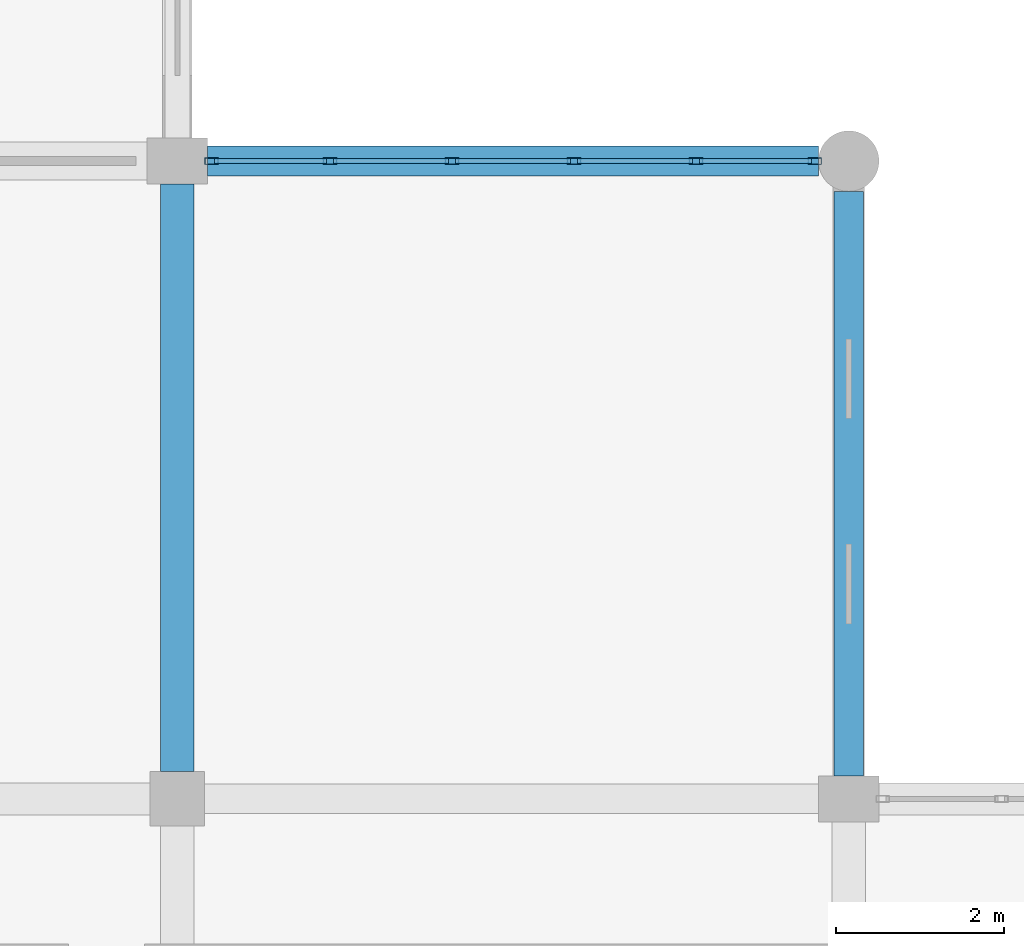
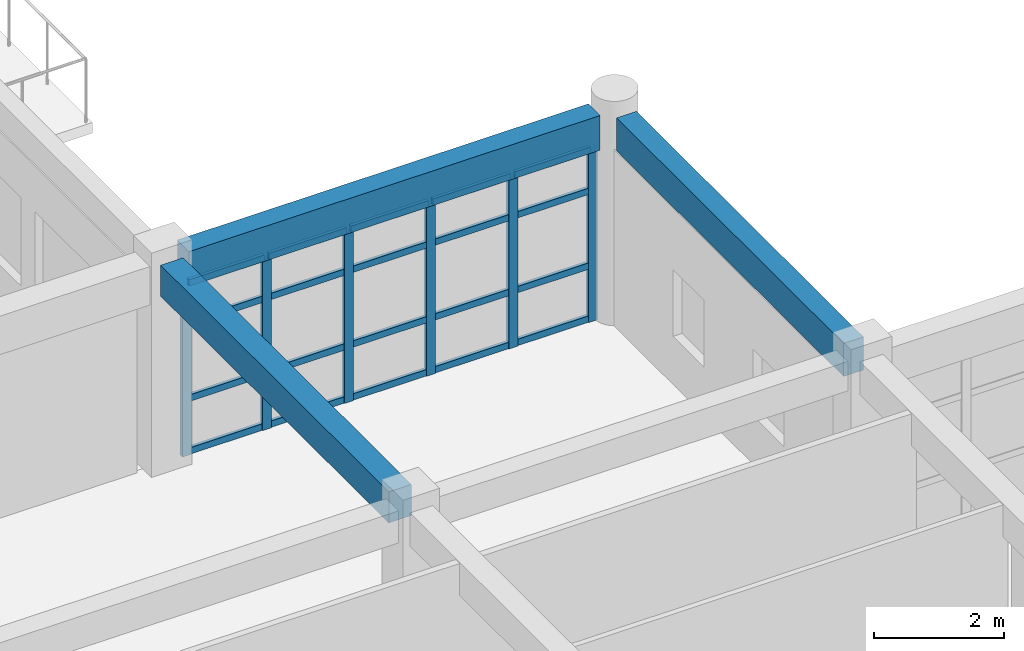
# One storey, part 45 of 195: 26 members, 3 beams, 1 element without a shape of its own.
"""IFC4 building model written with IfcOpenShell, lengths in metres."""

from ifc_helpers import new_model, si_unit, direction, frame, origin, origin_2d, place, context, subcontext, project, spatial, rectangle, hollow_rectangle, extrude, material, material_profile, profile_set, type_object, element, aggregate, save


model = new_model("IFC4")

# Units and contexts
model_context = context("Model", 3, precision=1e-05, world=origin(), true_north=direction((0.0, 1.0)))
body_context = subcontext(model_context, "Body", "Model", "MODEL_VIEW")
ifc_project = project(units=[si_unit("LENGTHUNIT", "METRE"), si_unit("AREAUNIT", "SQUARE_METRE"), si_unit("VOLUMEUNIT", "CUBIC_METRE"), si_unit("PLANEANGLEUNIT", "RADIAN"), si_unit("MASSUNIT", "GRAM", prefix="KILO")], contexts=[model_context])

# Site, building, storey
site_placement = place(None, origin())
site = spatial("IfcSite", under=ifc_project, at=site_placement, CompositionType="ELEMENT")
building_placement = place(site_placement, origin())
building = spatial("IfcBuilding", under=site, at=building_placement, Name="Kharva Crest Polytechnic", CompositionType="ELEMENT")
storey_placement = place(building_placement, frame((0.0, 0.0, 9.0)))
storey = spatial("IfcBuildingStorey", under=building, at=storey_placement, Name="L02", CompositionType="ELEMENT", Elevation=9.0)

# Beam
ifc_material_1 = material(Name="Concrete C35/45", Category="concrete")
ifc_material_profile_1 = material_profile(ifc_material_1, rectangle(XDim=0.39990234375, YDim=0.580078125, at=origin_2d()), Name="RECT 400 X 580")
ifc_profile_set_1 = profile_set([ifc_material_profile_1], Name="Concrete C35/45")
beam_type_1 = type_object("IfcBeamType", Name="BM-RC-400X580", PredefinedType="BEAM", material=ifc_profile_set_1)
beam_1_placement = place(storey_placement, frame((48.0, 23.125, 3.6298828125), z_axis=(0.0, 1.0, 0.0), x_axis=(-1.0, 0.0, 0.0)))
element("IfcBeam", 1, at=beam_1_placement, inside=storey, type_object=beam_type_1, Name="L02 Girder 7/D-E", PredefinedType="BEAM", context=body_context, shape_type="SweptSolid", body=[
    extrude(rectangle(XDim=0.39990234375, YDim=0.580078125, at=origin_2d()), origin(), (0.0, 0.0, 1.0), 7.0),
])

# Curtain wall, members
ifc_material_2 = material(Name="Tempered insulated glass", Category="glass")
curtain_wall_type = type_object("IfcCurtainWallType", Name="CW-SYS-COURT", PredefinedType="USERDEFINED", material=ifc_material_2)
curtain_wall_placement = place(storey_placement, origin())
curtain_wall = element("IfcCurtainWall", 2, at=curtain_wall_placement, inside=storey, type_object=curtain_wall_type, Name="L02 Glazed Curtain Wall CW-086", ObjectType="CURTAIN WALL", PredefinedType="USERDEFINED")
ifc_material_3 = material(Name="Steel S355", Category="steel")
ifc_material_profile_2 = material_profile(ifc_material_3, hollow_rectangle(XDim=0.080078125, YDim=0.159912109375, WallThickness=0.0048828125, at=origin_2d()), Name="RHS 160X80X5.0")
ifc_profile_set_2 = profile_set([ifc_material_profile_2], Name="Steel S355")
member_type_1 = type_object("IfcMemberType", Name="CWM-RHS160X80", PredefinedType="MULLION", material=ifc_profile_set_2)
member_1_placement = place(storey_placement, frame((55.594970703125, 30.39990234375, 0.0), z_axis=(0.0, 0.0, 1.0), x_axis=(0.0, -1.0, 0.0)))
member_1 = element("IfcMember", 3, at=member_1_placement, type_object=member_type_1, Name="CW-086 mullion 1", PredefinedType="MULLION", context=body_context, shape_type="SweptSolid", body=[
    extrude(hollow_rectangle(XDim=0.080078125, YDim=0.159912109375, WallThickness=0.0048828125, at=origin_2d()), origin(), (0.0, 0.0, 1.0), 3.27001953125),
])
member_2_placement = place(storey_placement, frame((54.180908203125, 30.39990234375, 0.0), z_axis=(0.0, 0.0, 1.0), x_axis=(0.0, -1.0, 0.0)))
member_2 = element("IfcMember", 4, at=member_2_placement, type_object=member_type_1, Name="CW-086 mullion 2", PredefinedType="MULLION", context=body_context, shape_type="SweptSolid", body=[
    extrude(hollow_rectangle(XDim=0.080078125, YDim=0.159912109375, WallThickness=0.0048828125, at=origin_2d()), origin(), (0.0, 0.0, 1.0), 3.27001953125),
])
member_3_placement = place(storey_placement, frame((52.72705078125, 30.39990234375, 0.0), z_axis=(0.0, 0.0, 1.0), x_axis=(0.0, -1.0, 0.0)))
member_3 = element("IfcMember", 5, at=member_3_placement, type_object=member_type_1, Name="CW-086 mullion 3", PredefinedType="MULLION", context=body_context, shape_type="SweptSolid", body=[
    extrude(hollow_rectangle(XDim=0.080078125, YDim=0.159912109375, WallThickness=0.0048828125, at=origin_2d()), origin(), (0.0, 0.0, 1.0), 3.27001953125),
])
member_4_placement = place(storey_placement, frame((51.27294921875, 30.39990234375, 0.0), z_axis=(0.0, 0.0, 1.0), x_axis=(0.0, -1.0, 0.0)))
member_4 = element("IfcMember", 6, at=member_4_placement, type_object=member_type_1, Name="CW-086 mullion 4", PredefinedType="MULLION", context=body_context, shape_type="SweptSolid", body=[
    extrude(hollow_rectangle(XDim=0.080078125, YDim=0.159912109375, WallThickness=0.0048828125, at=origin_2d()), origin(), (0.0, 0.0, 1.0), 3.27001953125),
])
member_5_placement = place(storey_placement, frame((49.819091796875, 30.39990234375, 0.0), z_axis=(0.0, 0.0, 1.0), x_axis=(0.0, -1.0, 0.0)))
member_5 = element("IfcMember", 7, at=member_5_placement, type_object=member_type_1, Name="CW-086 mullion 5", PredefinedType="MULLION", context=body_context, shape_type="SweptSolid", body=[
    extrude(hollow_rectangle(XDim=0.080078125, YDim=0.159912109375, WallThickness=0.0048828125, at=origin_2d()), origin(), (0.0, 0.0, 1.0), 3.27001953125),
])
member_6_placement = place(storey_placement, frame((48.405029296875, 30.39990234375, 0.0), z_axis=(0.0, 0.0, 1.0), x_axis=(0.0, -1.0, 0.0)))
member_6 = element("IfcMember", 8, at=member_6_placement, type_object=member_type_1, Name="CW-086 mullion 6", PredefinedType="MULLION", context=body_context, shape_type="SweptSolid", body=[
    extrude(hollow_rectangle(XDim=0.080078125, YDim=0.159912109375, WallThickness=0.0048828125, at=origin_2d()), origin(), (0.0, 0.0, 1.0), 3.27001953125),
])
ifc_material_profile_3 = material_profile(ifc_material_3, hollow_rectangle(XDim=0.06005859375, YDim=0.1201171875, WallThickness=0.00390625, at=origin_2d()), Name="RHS 120X60X4.0")
ifc_profile_set_3 = profile_set([ifc_material_profile_3], Name="Steel S355")
member_type_2 = type_object("IfcMemberType", Name="CWT-RHS120X60", PredefinedType="USERDEFINED", material=ifc_profile_set_3)
member_7_placement = place(storey_placement, frame((55.554931640625, 30.39990234375, 0.06005859375), z_axis=(-1.0, 0.0, 0.0), x_axis=(0.0, -1.0, 0.0)))
member_7 = element("IfcMember", 9, at=member_7_placement, type_object=member_type_2, Name="CW-086 transom 1.1", ObjectType="TRANSOM", PredefinedType="USERDEFINED", context=body_context, shape_type="SweptSolid", body=[
    extrude(hollow_rectangle(XDim=0.06005859375, YDim=0.1201171875, WallThickness=0.00390625, at=origin_2d()), origin(), (0.0, 0.0, 1.0), 1.333984375),
])
member_8_placement = place(storey_placement, frame((55.554931640625, 30.39990234375, 1.050048828125), z_axis=(-1.0, 0.0, 0.0), x_axis=(0.0, -1.0, 0.0)))
member_8 = element("IfcMember", 10, at=member_8_placement, type_object=member_type_2, Name="CW-086 transom 1.2", ObjectType="TRANSOM", PredefinedType="USERDEFINED", context=body_context, shape_type="SweptSolid", body=[
    extrude(hollow_rectangle(XDim=0.06005859375, YDim=0.1201171875, WallThickness=0.00390625, at=origin_2d()), origin(), (0.0, 0.0, 1.0), 1.333984375),
])
member_9_placement = place(storey_placement, frame((55.554931640625, 30.39990234375, 2.449951171875), z_axis=(-1.0, 0.0, 0.0), x_axis=(0.0, -1.0, 0.0)))
member_9 = element("IfcMember", 11, at=member_9_placement, type_object=member_type_2, Name="CW-086 transom 1.3", ObjectType="TRANSOM", PredefinedType="USERDEFINED", context=body_context, shape_type="SweptSolid", body=[
    extrude(hollow_rectangle(XDim=0.06005859375, YDim=0.1201171875, WallThickness=0.00390625, at=origin_2d()), origin(), (0.0, 0.0, 1.0), 1.333984375),
])
member_10_placement = place(storey_placement, frame((55.554931640625, 30.39990234375, 3.2099609375), z_axis=(-1.0, 0.0, 0.0), x_axis=(0.0, -1.0, 0.0)))
member_10 = element("IfcMember", 12, at=member_10_placement, type_object=member_type_2, Name="CW-086 transom 1.4", ObjectType="TRANSOM", PredefinedType="USERDEFINED", context=body_context, shape_type="SweptSolid", body=[
    extrude(hollow_rectangle(XDim=0.06005859375, YDim=0.1201171875, WallThickness=0.00390625, at=origin_2d()), origin(), (0.0, 0.0, 1.0), 1.333984375),
])
member_11_placement = place(storey_placement, frame((54.14111328125, 30.39990234375, 0.06005859375), z_axis=(-1.0, 0.0, 0.0), x_axis=(0.0, -1.0, 0.0)))
member_11 = element("IfcMember", 13, at=member_11_placement, type_object=member_type_2, Name="CW-086 transom 2.1", ObjectType="TRANSOM", PredefinedType="USERDEFINED", context=body_context, shape_type="SweptSolid", body=[
    extrude(hollow_rectangle(XDim=0.06005859375, YDim=0.1201171875, WallThickness=0.00390625, at=origin_2d()), origin(), (0.0, 0.0, 1.0), 1.3740234375),
])
member_12_placement = place(storey_placement, frame((54.14111328125, 30.39990234375, 1.050048828125), z_axis=(-1.0, 0.0, 0.0), x_axis=(0.0, -1.0, 0.0)))
member_12 = element("IfcMember", 14, at=member_12_placement, type_object=member_type_2, Name="CW-086 transom 2.2", ObjectType="TRANSOM", PredefinedType="USERDEFINED", context=body_context, shape_type="SweptSolid", body=[
    extrude(hollow_rectangle(XDim=0.06005859375, YDim=0.1201171875, WallThickness=0.00390625, at=origin_2d()), origin(), (0.0, 0.0, 1.0), 1.3740234375),
])
member_13_placement = place(storey_placement, frame((54.14111328125, 30.39990234375, 2.449951171875), z_axis=(-1.0, 0.0, 0.0), x_axis=(0.0, -1.0, 0.0)))
member_13 = element("IfcMember", 15, at=member_13_placement, type_object=member_type_2, Name="CW-086 transom 2.3", ObjectType="TRANSOM", PredefinedType="USERDEFINED", context=body_context, shape_type="SweptSolid", body=[
    extrude(hollow_rectangle(XDim=0.06005859375, YDim=0.1201171875, WallThickness=0.00390625, at=origin_2d()), origin(), (0.0, 0.0, 1.0), 1.3740234375),
])
member_14_placement = place(storey_placement, frame((54.14111328125, 30.39990234375, 3.2099609375), z_axis=(-1.0, 0.0, 0.0), x_axis=(0.0, -1.0, 0.0)))
member_14 = element("IfcMember", 16, at=member_14_placement, type_object=member_type_2, Name="CW-086 transom 2.4", ObjectType="TRANSOM", PredefinedType="USERDEFINED", context=body_context, shape_type="SweptSolid", body=[
    extrude(hollow_rectangle(XDim=0.06005859375, YDim=0.1201171875, WallThickness=0.00390625, at=origin_2d()), origin(), (0.0, 0.0, 1.0), 1.3740234375),
])
member_15_placement = place(storey_placement, frame((52.68701171875, 30.39990234375, 0.06005859375), z_axis=(-1.0, 0.0, 0.0), x_axis=(0.0, -1.0, 0.0)))
member_15 = element("IfcMember", 17, at=member_15_placement, type_object=member_type_2, Name="CW-086 transom 3.1", ObjectType="TRANSOM", PredefinedType="USERDEFINED", context=body_context, shape_type="SweptSolid", body=[
    extrude(hollow_rectangle(XDim=0.06005859375, YDim=0.1201171875, WallThickness=0.00390625, at=origin_2d()), origin(), (0.0, 0.0, 1.0), 1.3740234375),
])
member_16_placement = place(storey_placement, frame((52.68701171875, 30.39990234375, 1.050048828125), z_axis=(-1.0, 0.0, 0.0), x_axis=(0.0, -1.0, 0.0)))
member_16 = element("IfcMember", 18, at=member_16_placement, type_object=member_type_2, Name="CW-086 transom 3.2", ObjectType="TRANSOM", PredefinedType="USERDEFINED", context=body_context, shape_type="SweptSolid", body=[
    extrude(hollow_rectangle(XDim=0.06005859375, YDim=0.1201171875, WallThickness=0.00390625, at=origin_2d()), origin(), (0.0, 0.0, 1.0), 1.3740234375),
])
member_17_placement = place(storey_placement, frame((52.68701171875, 30.39990234375, 2.449951171875), z_axis=(-1.0, 0.0, 0.0), x_axis=(0.0, -1.0, 0.0)))
member_17 = element("IfcMember", 19, at=member_17_placement, type_object=member_type_2, Name="CW-086 transom 3.3", ObjectType="TRANSOM", PredefinedType="USERDEFINED", context=body_context, shape_type="SweptSolid", body=[
    extrude(hollow_rectangle(XDim=0.06005859375, YDim=0.1201171875, WallThickness=0.00390625, at=origin_2d()), origin(), (0.0, 0.0, 1.0), 1.3740234375),
])
member_18_placement = place(storey_placement, frame((52.68701171875, 30.39990234375, 3.2099609375), z_axis=(-1.0, 0.0, 0.0), x_axis=(0.0, -1.0, 0.0)))
member_18 = element("IfcMember", 20, at=member_18_placement, type_object=member_type_2, Name="CW-086 transom 3.4", ObjectType="TRANSOM", PredefinedType="USERDEFINED", context=body_context, shape_type="SweptSolid", body=[
    extrude(hollow_rectangle(XDim=0.06005859375, YDim=0.1201171875, WallThickness=0.00390625, at=origin_2d()), origin(), (0.0, 0.0, 1.0), 1.3740234375),
])
member_19_placement = place(storey_placement, frame((51.23291015625, 30.39990234375, 0.06005859375), z_axis=(-1.0, 0.0, 0.0), x_axis=(0.0, -1.0, 0.0)))
member_19 = element("IfcMember", 21, at=member_19_placement, type_object=member_type_2, Name="CW-086 transom 4.1", ObjectType="TRANSOM", PredefinedType="USERDEFINED", context=body_context, shape_type="SweptSolid", body=[
    extrude(hollow_rectangle(XDim=0.06005859375, YDim=0.1201171875, WallThickness=0.00390625, at=origin_2d()), origin(), (0.0, 0.0, 1.0), 1.3740234375),
])
member_20_placement = place(storey_placement, frame((51.23291015625, 30.39990234375, 1.050048828125), z_axis=(-1.0, 0.0, 0.0), x_axis=(0.0, -1.0, 0.0)))
member_20 = element("IfcMember", 22, at=member_20_placement, type_object=member_type_2, Name="CW-086 transom 4.2", ObjectType="TRANSOM", PredefinedType="USERDEFINED", context=body_context, shape_type="SweptSolid", body=[
    extrude(hollow_rectangle(XDim=0.06005859375, YDim=0.1201171875, WallThickness=0.00390625, at=origin_2d()), origin(), (0.0, 0.0, 1.0), 1.3740234375),
])
member_21_placement = place(storey_placement, frame((51.23291015625, 30.39990234375, 2.449951171875), z_axis=(-1.0, 0.0, 0.0), x_axis=(0.0, -1.0, 0.0)))
member_21 = element("IfcMember", 23, at=member_21_placement, type_object=member_type_2, Name="CW-086 transom 4.3", ObjectType="TRANSOM", PredefinedType="USERDEFINED", context=body_context, shape_type="SweptSolid", body=[
    extrude(hollow_rectangle(XDim=0.06005859375, YDim=0.1201171875, WallThickness=0.00390625, at=origin_2d()), origin(), (0.0, 0.0, 1.0), 1.3740234375),
])
member_22_placement = place(storey_placement, frame((51.23291015625, 30.39990234375, 3.2099609375), z_axis=(-1.0, 0.0, 0.0), x_axis=(0.0, -1.0, 0.0)))
member_22 = element("IfcMember", 24, at=member_22_placement, type_object=member_type_2, Name="CW-086 transom 4.4", ObjectType="TRANSOM", PredefinedType="USERDEFINED", context=body_context, shape_type="SweptSolid", body=[
    extrude(hollow_rectangle(XDim=0.06005859375, YDim=0.1201171875, WallThickness=0.00390625, at=origin_2d()), origin(), (0.0, 0.0, 1.0), 1.3740234375),
])
member_23_placement = place(storey_placement, frame((49.779052734375, 30.39990234375, 0.06005859375), z_axis=(-1.0, 0.0, 0.0), x_axis=(0.0, -1.0, 0.0)))
member_23 = element("IfcMember", 25, at=member_23_placement, type_object=member_type_2, Name="CW-086 transom 5.1", ObjectType="TRANSOM", PredefinedType="USERDEFINED", context=body_context, shape_type="SweptSolid", body=[
    extrude(hollow_rectangle(XDim=0.06005859375, YDim=0.1201171875, WallThickness=0.00390625, at=origin_2d()), origin(), (0.0, 0.0, 1.0), 1.333984375),
])
member_24_placement = place(storey_placement, frame((49.779052734375, 30.39990234375, 1.050048828125), z_axis=(-1.0, 0.0, 0.0), x_axis=(0.0, -1.0, 0.0)))
member_24 = element("IfcMember", 26, at=member_24_placement, type_object=member_type_2, Name="CW-086 transom 5.2", ObjectType="TRANSOM", PredefinedType="USERDEFINED", context=body_context, shape_type="SweptSolid", body=[
    extrude(hollow_rectangle(XDim=0.06005859375, YDim=0.1201171875, WallThickness=0.00390625, at=origin_2d()), origin(), (0.0, 0.0, 1.0), 1.333984375),
])
member_25_placement = place(storey_placement, frame((49.779052734375, 30.39990234375, 2.449951171875), z_axis=(-1.0, 0.0, 0.0), x_axis=(0.0, -1.0, 0.0)))
member_25 = element("IfcMember", 27, at=member_25_placement, type_object=member_type_2, Name="CW-086 transom 5.3", ObjectType="TRANSOM", PredefinedType="USERDEFINED", context=body_context, shape_type="SweptSolid", body=[
    extrude(hollow_rectangle(XDim=0.06005859375, YDim=0.1201171875, WallThickness=0.00390625, at=origin_2d()), origin(), (0.0, 0.0, 1.0), 1.333984375),
])
member_26_placement = place(storey_placement, frame((49.779052734375, 30.39990234375, 3.2099609375), z_axis=(-1.0, 0.0, 0.0), x_axis=(0.0, -1.0, 0.0)))
member_26 = element("IfcMember", 28, at=member_26_placement, type_object=member_type_2, Name="CW-086 transom 5.4", ObjectType="TRANSOM", PredefinedType="USERDEFINED", context=body_context, shape_type="SweptSolid", body=[
    extrude(hollow_rectangle(XDim=0.06005859375, YDim=0.1201171875, WallThickness=0.00390625, at=origin_2d()), origin(), (0.0, 0.0, 1.0), 1.333984375),
])
aggregate(curtain_wall, [member_1, member_2, member_3, member_4, member_5, member_6, member_7, member_8, member_9, member_10, member_11, member_12, member_13, member_14, member_15, member_16, member_17, member_18, member_19, member_20, member_21, member_22, member_23, member_24, member_25, member_26])

# Beams
ifc_material_profile_4 = material_profile(ifc_material_1, rectangle(XDim=0.35009765625, YDim=0.6201171875, at=origin_2d()), Name="RECT 350 X 620")
ifc_profile_set_4 = profile_set([ifc_material_profile_4], Name="Concrete C35/45")
beam_type_2 = type_object("IfcBeamType", Name="SP-RC-350X620", PredefinedType="SPANDREL", material=ifc_profile_set_4)
beam_2_placement = place(storey_placement, frame((56.0, 23.074951171875, 3.610107421875), z_axis=(0.0, 1.0, 0.0), x_axis=(-1.0, 0.0, 0.0)))
element("IfcBeam", 29, at=beam_2_placement, inside=storey, type_object=beam_type_2, Name="L02 Girder 8/D-E", PredefinedType="SPANDREL", context=body_context, shape_type="SweptSolid", body=[
    extrude(rectangle(XDim=0.35009765625, YDim=0.6201171875, at=origin_2d()), origin(), (0.0, 0.0, 1.0), 6.965087890625),
])
ifc_material_profile_5 = material_profile(ifc_material_1, rectangle(XDim=0.360107421875, YDim=0.64990234375, at=origin_2d()), Name="RECT 360 X 650")
ifc_profile_set_5 = profile_set([ifc_material_profile_5], Name="Concrete C35/45")
beam_type_3 = type_object("IfcBeamType", Name="SP-RC-360X650", PredefinedType="SPANDREL", material=ifc_profile_set_5)
beam_3_placement = place(storey_placement, frame((48.360107421875, 30.39990234375, 3.594970703125), z_axis=(1.0, 0.0, 0.0), x_axis=(0.0, 1.0, 0.0)))
element("IfcBeam", 30, at=beam_3_placement, inside=storey, type_object=beam_type_3, Name="L02 Beam E/7-8", PredefinedType="SPANDREL", context=body_context, shape_type="SweptSolid", body=[
    extrude(rectangle(XDim=0.360107421875, YDim=0.64990234375, at=origin_2d()), origin(), (0.0, 0.0, 1.0), 7.27978515625),
])

save(model, "model.ifc")
